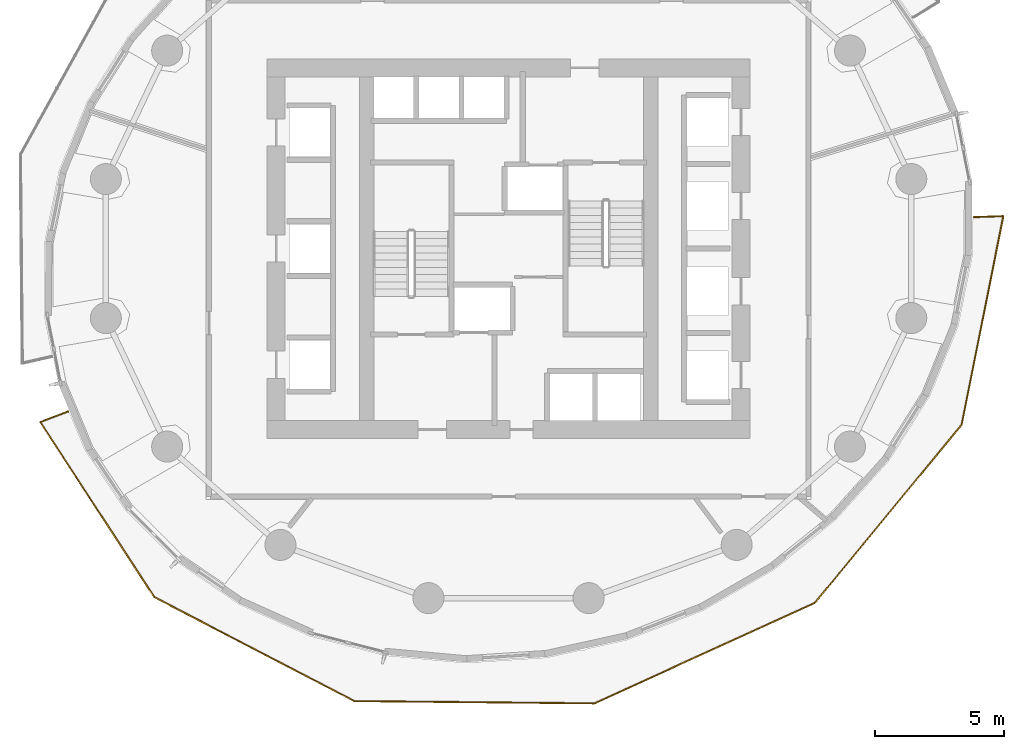
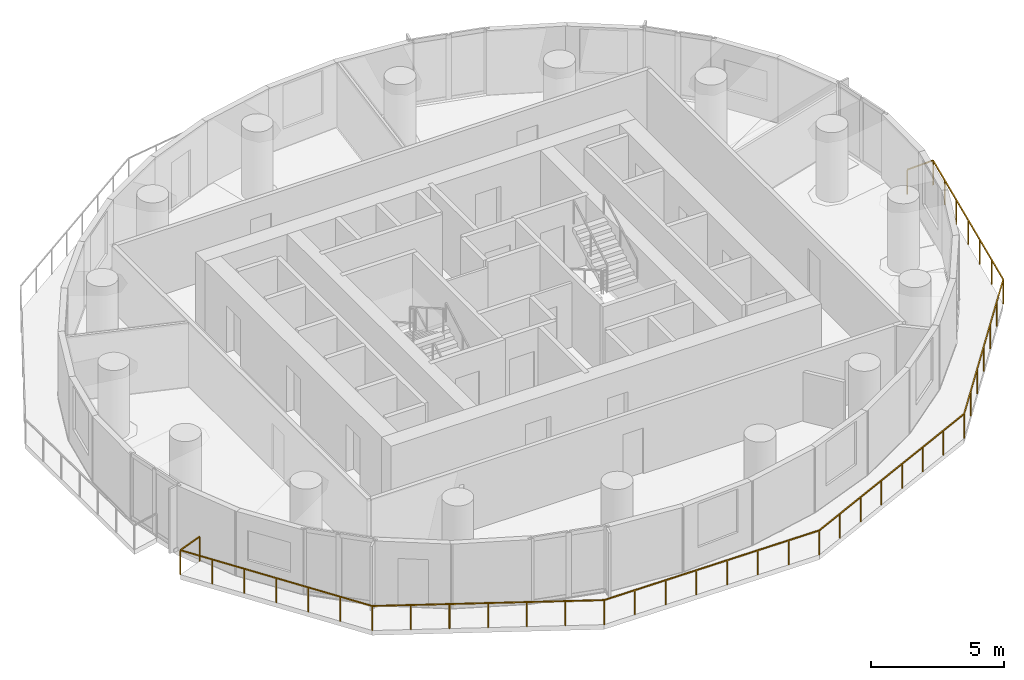
# One storey, part 8 of 10: 1 railing.
"""IFC4 building model written with IfcOpenShell, lengths in metres."""

from ifc_helpers import new_model, si_unit, direction, frame, origin, origin_2d, place, context, subcontext, project, spatial, rectangle, extrude, material, type_object, element, save


model = new_model("IFC4")

# Units and contexts
model_context = context("Model", 3, precision=1e-05, world=origin(), true_north=direction((0.0, 1.0)))
body_context = subcontext(model_context, "Body", "Model", "MODEL_VIEW")
ifc_project = project(units=[si_unit("LENGTHUNIT", "METRE"), si_unit("AREAUNIT", "SQUARE_METRE"), si_unit("VOLUMEUNIT", "CUBIC_METRE"), si_unit("PLANEANGLEUNIT", "RADIAN"), si_unit("MASSUNIT", "GRAM", prefix="KILO")], contexts=[model_context])

# Site, building, storey
site_placement = place(None, origin())
site = spatial("IfcSite", under=ifc_project, at=site_placement, CompositionType="ELEMENT")
building_placement = place(site_placement, origin())
building = spatial("IfcBuilding", under=site, at=building_placement, Name="Veldorim Arch Residences", CompositionType="ELEMENT")
storey_placement = place(building_placement, frame((0.0, 0.0, 70.8798828125)))
storey = spatial("IfcBuildingStorey", under=building, at=storey_placement, Name="L20", CompositionType="ELEMENT", Elevation=70.8798828125)

# Railing
ifc_material = material(Name="Aluminium", Category="aluminium")
railing_type = type_object("IfcRailingType", Name="Balcony & Terrace Laminated Glass Balustrade 1150", PredefinedType="BALUSTRADE", material=ifc_material)
railing_placement = place(storey_placement, frame((14.93994140625, 17.691650390625, 0.0)))
element("IfcRailing", 1, at=railing_placement, inside=storey, type_object=railing_type, Name="L20 crescent balcony safety balustrade B", PredefinedType="BALUSTRADE", context=body_context, shape_type="SweptSolid", body=[
    extrude(rectangle(XDim=0.048095703125, YDim=0.048095703125, at=origin_2d()), frame((0.0, 0.0, 1.1259765625), z_axis=(-0.934652411652, -0.355562750288, 0.0), x_axis=(0.355562750288, -0.934652411652, 0.0)), (0.0, 0.0, 1.0), 1.150146484375),
    extrude(rectangle(XDim=0.048095703125, YDim=0.048095703125, at=origin_2d()), frame((-1.074951171875, -0.408935546875, 1.1259765625), z_axis=(0.545882082029, -0.837862012816, 0.0), x_axis=(0.837862012816, 0.545882082029, 0.0)), (0.0, 0.0, 1.0), 8.091552734375),
    extrude(rectangle(XDim=0.048095703125, YDim=0.048095703125, at=origin_2d()), frame((3.342041015625, -7.1884765625, 1.1259765625), z_axis=(0.887352243335, -0.461092177606, 0.0), x_axis=(0.461092177606, 0.887352243335, 0.0)), (0.0, 0.0, 1.0), 8.7333984375),
    extrude(rectangle(XDim=0.048095703125, YDim=0.048095703125, at=origin_2d()), frame((11.091552734375, -11.21533203125, 1.1259765625), z_axis=(0.999955278432, -0.009457332394, 0.0), x_axis=(0.009457332394, 0.999955278432, 0.0)), (0.0, 0.0, 1.0), 9.29345703125),
    extrude(rectangle(XDim=0.048095703125, YDim=0.048095703125, at=origin_2d()), frame((20.384521484375, -11.30322265625, 1.1259765625), z_axis=(0.909897269049, 0.414833653141, 0.0), x_axis=(-0.414833653141, 0.909897269049, 0.0)), (0.0, 0.0, 1.0), 9.384765625),
    extrude(rectangle(XDim=0.048095703125, YDim=0.048095703125, at=origin_2d()), frame((28.923583984375, -7.41015625, 1.1259765625), z_axis=(0.635754165722, 0.771891599104, 0.0), x_axis=(-0.771891599104, 0.635754165722, 0.0)), (0.0, 0.0, 1.0), 8.93798828125),
    extrude(rectangle(XDim=0.048095703125, YDim=0.048095703125, at=origin_2d()), frame((34.60595703125, -0.510986328125, 1.1259765625), z_axis=(0.196013562865, 0.980601184566, 0.0), x_axis=(-0.980601184566, 0.196013562865, 0.0)), (0.0, 0.0, 1.0), 8.2392578125),
    extrude(rectangle(XDim=0.048095703125, YDim=0.048095703125, at=origin_2d()), frame((36.220947265625, 7.568359375, 1.1259765625), z_axis=(-0.999393579162, -0.034820596342, 0.0), x_axis=(0.034820596342, -0.999393579162, 0.0)), (0.0, 0.0, 1.0), 1.14990234375),
    extrude(rectangle(XDim=0.0419921875, YDim=0.0419921875, at=origin_2d()), origin(), (0.0, 0.0, 1.0), 1.101806640625),
    extrude(rectangle(XDim=0.0419921875, YDim=0.0419921875, at=origin_2d()), frame((-1.074951171875, -0.408935546875, 0.0)), (0.0, 0.0, 1.0), 1.101806640625),
    extrude(rectangle(XDim=0.0419921875, YDim=0.0419921875, at=origin_2d()), frame((-0.3388671875, -1.538818359375, 0.0)), (0.0, 0.0, 1.0), 1.101806640625),
    extrude(rectangle(XDim=0.0419921875, YDim=0.0419921875, at=origin_2d()), frame((0.3974609375, -2.668701171875, 0.0)), (0.0, 0.0, 1.0), 1.101806640625),
    extrude(rectangle(XDim=0.0419921875, YDim=0.0419921875, at=origin_2d()), frame((1.133544921875, -3.798828125, 0.0)), (0.0, 0.0, 1.0), 1.101806640625),
    extrude(rectangle(XDim=0.0419921875, YDim=0.0419921875, at=origin_2d()), frame((1.86962890625, -4.9287109375, 0.0)), (0.0, 0.0, 1.0), 1.101806640625),
    extrude(rectangle(XDim=0.0419921875, YDim=0.0419921875, at=origin_2d()), frame((2.60595703125, -6.05859375, 0.0)), (0.0, 0.0, 1.0), 1.101806640625),
    extrude(rectangle(XDim=0.0419921875, YDim=0.0419921875, at=origin_2d()), frame((3.342041015625, -7.1884765625, 0.0)), (0.0, 0.0, 1.0), 1.101806640625),
    extrude(rectangle(XDim=0.0419921875, YDim=0.0419921875, at=origin_2d()), frame((4.633544921875, -7.859619140625, 0.0)), (0.0, 0.0, 1.0), 1.101806640625),
    extrude(rectangle(XDim=0.0419921875, YDim=0.0419921875, at=origin_2d()), frame((5.92529296875, -8.53076171875, 0.0)), (0.0, 0.0, 1.0), 1.101806640625),
    extrude(rectangle(XDim=0.0419921875, YDim=0.0419921875, at=origin_2d()), frame((7.216796875, -9.201904296875, 0.0)), (0.0, 0.0, 1.0), 1.101806640625),
    extrude(rectangle(XDim=0.0419921875, YDim=0.0419921875, at=origin_2d()), frame((8.50830078125, -9.873046875, 0.0)), (0.0, 0.0, 1.0), 1.101806640625),
    extrude(rectangle(XDim=0.0419921875, YDim=0.0419921875, at=origin_2d()), frame((9.800048828125, -10.544189453125, 0.0)), (0.0, 0.0, 1.0), 1.101806640625),
    extrude(rectangle(XDim=0.0419921875, YDim=0.0419921875, at=origin_2d()), frame((11.091552734375, -11.21533203125, 0.0)), (0.0, 0.0, 1.0), 1.101806640625),
    extrude(rectangle(XDim=0.0419921875, YDim=0.0419921875, at=origin_2d()), frame((12.419189453125, -11.227783203125, 0.0)), (0.0, 0.0, 1.0), 1.101806640625),
    extrude(rectangle(XDim=0.0419921875, YDim=0.0419921875, at=origin_2d()), frame((13.74658203125, -11.240478515625, 0.0)), (0.0, 0.0, 1.0), 1.101806640625),
    extrude(rectangle(XDim=0.0419921875, YDim=0.0419921875, at=origin_2d()), frame((15.07421875, -11.2529296875, 0.0)), (0.0, 0.0, 1.0), 1.101806640625),
    extrude(rectangle(XDim=0.0419921875, YDim=0.0419921875, at=origin_2d()), frame((16.40185546875, -11.265625, 0.0)), (0.0, 0.0, 1.0), 1.101806640625),
    extrude(rectangle(XDim=0.0419921875, YDim=0.0419921875, at=origin_2d()), frame((17.7294921875, -11.278076171875, 0.0)), (0.0, 0.0, 1.0), 1.101806640625),
    extrude(rectangle(XDim=0.0419921875, YDim=0.0419921875, at=origin_2d()), frame((19.056884765625, -11.290771484375, 0.0)), (0.0, 0.0, 1.0), 1.101806640625),
    extrude(rectangle(XDim=0.0419921875, YDim=0.0419921875, at=origin_2d()), frame((20.384521484375, -11.30322265625, 0.0)), (0.0, 0.0, 1.0), 1.101806640625),
    extrude(rectangle(XDim=0.0419921875, YDim=0.0419921875, at=origin_2d()), frame((21.6044921875, -10.7470703125, 0.0)), (0.0, 0.0, 1.0), 1.101806640625),
    extrude(rectangle(XDim=0.0419921875, YDim=0.0419921875, at=origin_2d()), frame((22.82421875, -10.19091796875, 0.0)), (0.0, 0.0, 1.0), 1.101806640625),
    extrude(rectangle(XDim=0.0419921875, YDim=0.0419921875, at=origin_2d()), frame((24.044189453125, -9.634765625, 0.0)), (0.0, 0.0, 1.0), 1.101806640625),
    extrude(rectangle(XDim=0.0419921875, YDim=0.0419921875, at=origin_2d()), frame((25.263916015625, -9.07861328125, 0.0)), (0.0, 0.0, 1.0), 1.101806640625),
    extrude(rectangle(XDim=0.0419921875, YDim=0.0419921875, at=origin_2d()), frame((26.48388671875, -8.5224609375, 0.0)), (0.0, 0.0, 1.0), 1.101806640625),
    extrude(rectangle(XDim=0.0419921875, YDim=0.0419921875, at=origin_2d()), frame((27.70361328125, -7.96630859375, 0.0)), (0.0, 0.0, 1.0), 1.101806640625),
    extrude(rectangle(XDim=0.0419921875, YDim=0.0419921875, at=origin_2d()), frame((28.923583984375, -7.41015625, 0.0)), (0.0, 0.0, 1.0), 1.101806640625),
    extrude(rectangle(XDim=0.0419921875, YDim=0.0419921875, at=origin_2d()), frame((29.87060546875, -6.26025390625, 0.0)), (0.0, 0.0, 1.0), 1.101806640625),
    extrude(rectangle(XDim=0.0419921875, YDim=0.0419921875, at=origin_2d()), frame((30.817626953125, -5.1103515625, 0.0)), (0.0, 0.0, 1.0), 1.101806640625),
    extrude(rectangle(XDim=0.0419921875, YDim=0.0419921875, at=origin_2d()), frame((31.7646484375, -3.96044921875, 0.0)), (0.0, 0.0, 1.0), 1.101806640625),
    extrude(rectangle(XDim=0.0419921875, YDim=0.0419921875, at=origin_2d()), frame((32.7119140625, -2.810791015625, 0.0)), (0.0, 0.0, 1.0), 1.101806640625),
    extrude(rectangle(XDim=0.0419921875, YDim=0.0419921875, at=origin_2d()), frame((33.658935546875, -1.660888671875, 0.0)), (0.0, 0.0, 1.0), 1.101806640625),
    extrude(rectangle(XDim=0.0419921875, YDim=0.0419921875, at=origin_2d()), frame((34.60595703125, -0.510986328125, 0.0)), (0.0, 0.0, 1.0), 1.101806640625),
    extrude(rectangle(XDim=0.0419921875, YDim=0.0419921875, at=origin_2d()), frame((34.875, 0.83544921875, 0.0)), (0.0, 0.0, 1.0), 1.101806640625),
    extrude(rectangle(XDim=0.0419921875, YDim=0.0419921875, at=origin_2d()), frame((35.144287109375, 2.18212890625, 0.0)), (0.0, 0.0, 1.0), 1.101806640625),
    extrude(rectangle(XDim=0.0419921875, YDim=0.0419921875, at=origin_2d()), frame((35.41357421875, 3.52880859375, 0.0)), (0.0, 0.0, 1.0), 1.101806640625),
    extrude(rectangle(XDim=0.0419921875, YDim=0.0419921875, at=origin_2d()), frame((35.6826171875, 4.875244140625, 0.0)), (0.0, 0.0, 1.0), 1.101806640625),
    extrude(rectangle(XDim=0.0419921875, YDim=0.0419921875, at=origin_2d()), frame((35.95166015625, 6.2216796875, 0.0)), (0.0, 0.0, 1.0), 1.101806640625),
    extrude(rectangle(XDim=0.0419921875, YDim=0.0419921875, at=origin_2d()), frame((36.220947265625, 7.568359375, 0.0)), (0.0, 0.0, 1.0), 1.101806640625),
    extrude(rectangle(XDim=0.0419921875, YDim=0.0419921875, at=origin_2d()), frame((35.07177734375, 7.5283203125, 0.0)), (0.0, 0.0, 1.0), 1.101806640625),
])

save(model, "model.ifc")
